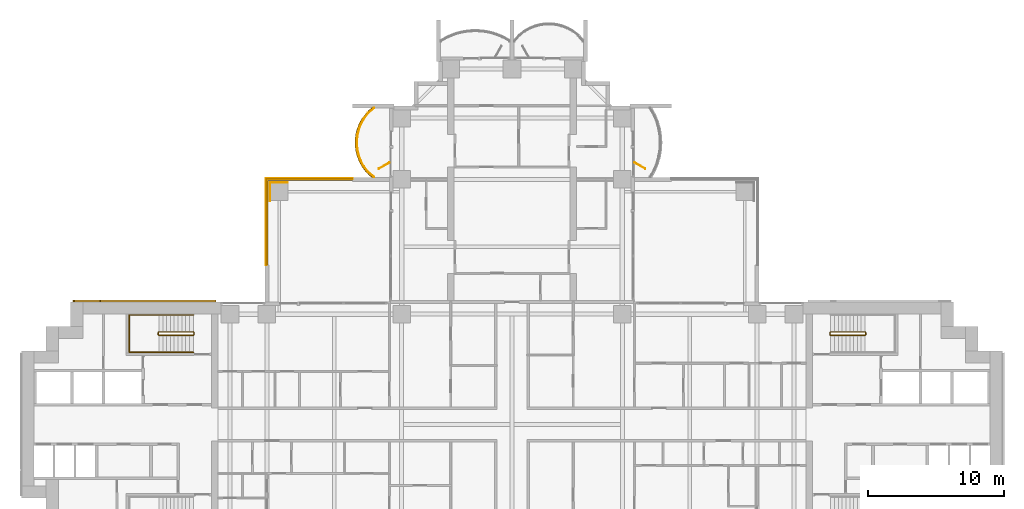
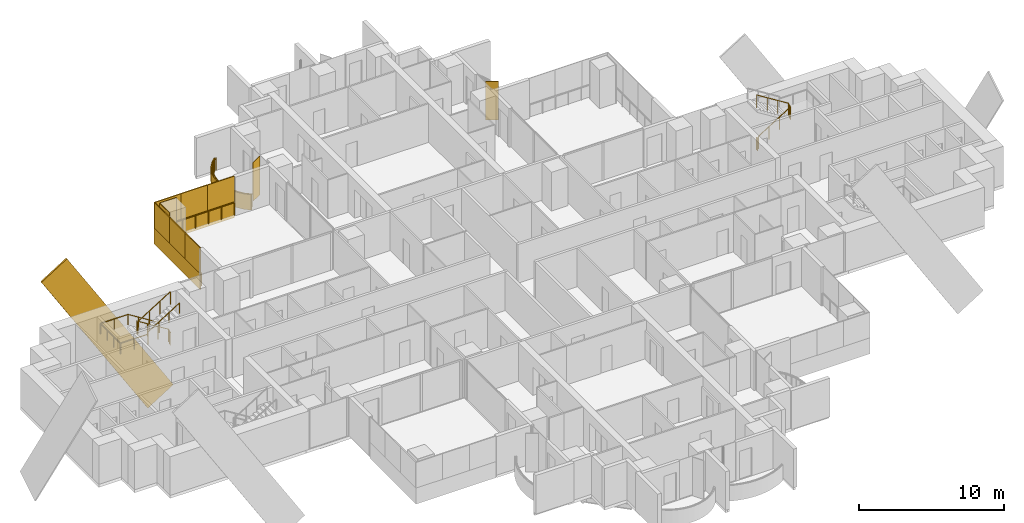
# One storey, part 21 of 23: 11 coverings, 5 railings, 2 shading devices.
"""IFC4 building model written with IfcOpenShell, lengths in metres."""

from ifc_helpers import new_model, si_unit, direction, frame, origin, origin_2d, place, context, subcontext, project, spatial, polyline, rectangle, outline, extrude, material, layer, layer_set, material_profile, profile_set, type_object, element, save


model = new_model("IFC4")

# Units and contexts
model_context = context("Model", 3, precision=1e-05, world=origin(), true_north=direction((0.0, 1.0)))
body_context = subcontext(model_context, "Body", "Model", "MODEL_VIEW")
ifc_project = project(units=[si_unit("LENGTHUNIT", "METRE"), si_unit("AREAUNIT", "SQUARE_METRE"), si_unit("VOLUMEUNIT", "CUBIC_METRE"), si_unit("PLANEANGLEUNIT", "RADIAN"), si_unit("MASSUNIT", "GRAM", prefix="KILO")], contexts=[model_context])

# Site, building, storey
site_placement = place(None, origin())
site = spatial("IfcSite", under=ifc_project, at=site_placement, CompositionType="ELEMENT")
building_placement = place(site_placement, origin())
building = spatial("IfcBuilding", under=site, at=building_placement, Name="Perihelion Cross Residences", CompositionType="ELEMENT")
storey_placement = place(building_placement, frame((0.0, 0.0, 61.0)))
storey = spatial("IfcBuildingStorey", under=building, at=storey_placement, Name="L12", CompositionType="ELEMENT", Elevation=61.0)

# Covering
ifc_material_1 = material(Name="Bronze anodised aluminium", Category="aluminium")
ifc_layer_1 = layer(ifc_material_1, 0.070068359375)
ifc_layer_set_1 = layer_set([ifc_layer_1], Name="Balcony fascia 1300")
covering_type_1 = type_object("IfcCoveringType", Name="Balcony fascia 1300", PredefinedType="CLADDING", material=ifc_layer_set_1)
covering_1_placement = place(storey_placement, frame((0.0, 0.0, -0.199951171875)))
element("IfcCovering", 1, at=covering_1_placement, inside=storey, type_object=covering_type_1, Name="Fascia BF1 L12 north side west bay 1", PredefinedType="CLADDING", context=body_context, shape_type="SweptSolid", body=[
    extrude(outline(polyline([(-10.674072265625, 22.90478515625), (-10.982666015625, 22.50390625), (-11.20654296875, 22.10302734375), (-11.364013671875, 21.7021484375), (-11.464599609375, 21.30126953125), (-11.513916015625, 20.900390625), (-11.513916015625, 20.49951171875), (-11.464599609375, 20.0986328125), (-11.364013671875, 19.69775390625), (-11.20654296875, 19.296875), (-10.982666015625, 18.89599609375), (-10.674072265625, 18.4951171875), (-10.302734375, 18.14990234375), (-10.199951171875, 18.14990234375), (-10.622314453125, 18.542236328125), (-10.924072265625, 18.9345703125), (-11.143310546875, 19.326904296875), (-11.29736328125, 19.71923828125), (-11.39599609375, 20.111572265625), (-11.444091796875, 20.50390625), (-11.444091796875, 20.896240234375), (-11.39599609375, 21.28857421875), (-11.29736328125, 21.6806640625), (-11.143310546875, 22.072998046875), (-10.924072265625, 22.46533203125), (-10.622314453125, 22.857666015625), (-10.199951171875, 23.25), (-10.302734375, 23.25), (-10.674072265625, 22.90478515625)])), origin(), (0.0, 0.0, 1.0), 1.300048828125),
])

# Railings
ifc_material_2 = material(Name="Bronze anodised aluminium", Category="aluminium")
railing_type_1 = type_object("IfcRailingType", Name="Balcony guard 1100", PredefinedType="GUARDRAIL", material=ifc_material_2)
railing_1_placement = place(storey_placement, frame((-10.139892578125, 23.22509765625, 0.0)))
element("IfcRailing", 2, at=railing_1_placement, inside=storey, type_object=railing_type_1, Name="Guard GU1 L12 north side west bay 1 balcony", PredefinedType="GUARDRAIL", context=body_context, shape_type="SweptSolid", body=[
    extrude(rectangle(XDim=0.048095703125, YDim=0.048095703125, at=origin_2d()), frame((0.0, 0.0, 1.076171875), z_axis=(-0.754464673757, -0.656340655493, 0.0), x_axis=(0.656340655493, -0.754464673757, 0.0)), (0.0, 0.0, 1.0), 0.559814453125),
    extrude(rectangle(XDim=0.048095703125, YDim=0.048095703125, at=origin_2d()), frame((-0.42236328125, -0.367431640625, 1.076171875), z_axis=(-0.60966308455, -0.792660660899, 0.0), x_axis=(0.792660660899, -0.60966308455, 0.0)), (0.0, 0.0, 1.0), 0.494873046875),
    extrude(rectangle(XDim=0.048095703125, YDim=0.048095703125, at=origin_2d()), frame((-0.72412109375, -0.759765625, 1.076171875), z_axis=(-0.487809182674, -0.872950285698, 0.0), x_axis=(0.872950285698, -0.487809182674, 0.0)), (0.0, 0.0, 1.0), 0.449462890625),
    extrude(rectangle(XDim=0.048095703125, YDim=0.048095703125, at=origin_2d()), frame((-0.943359375, -1.152099609375, 1.076171875), z_axis=(-0.365491079925, -0.930814842219, 0.0), x_axis=(0.930814842219, -0.365491079925, 0.0)), (0.0, 0.0, 1.0), 0.42138671875),
    extrude(rectangle(XDim=0.048095703125, YDim=0.048095703125, at=origin_2d()), frame((-1.097412109375, -1.54443359375, 1.076171875), z_axis=(-0.243956193074, -0.969786252666, 0.0), x_axis=(0.969786252666, -0.243956193074, 0.0)), (0.0, 0.0, 1.0), 0.404296875),
    extrude(rectangle(XDim=0.048095703125, YDim=0.048095703125, at=origin_2d()), frame((-1.196044921875, -1.9365234375, 1.076171875), z_axis=(-0.121677797999, -0.992569651699, 0.0), x_axis=(0.992569651699, -0.121677797999, 0.0)), (0.0, 0.0, 1.0), 0.395263671875),
    extrude(rectangle(XDim=0.048095703125, YDim=0.048095703125, at=origin_2d()), frame((-1.244140625, -2.328857421875, 1.076171875), z_axis=(0.0, -1.0, 0.0), x_axis=(1.0, 0.0, 0.0)), (0.0, 0.0, 1.0), 0.392333984375),
    extrude(rectangle(XDim=0.048095703125, YDim=0.048095703125, at=origin_2d()), frame((-1.244140625, -2.72119140625, 1.076171875), z_axis=(0.121677797999, -0.992569651699, 0.0), x_axis=(0.992569651699, 0.121677797999, 0.0)), (0.0, 0.0, 1.0), 0.395263671875),
    extrude(rectangle(XDim=0.048095703125, YDim=0.048095703125, at=origin_2d()), frame((-1.196044921875, -3.113525390625, 1.076171875), z_axis=(0.243813411509, -0.969822159145, 0.0), x_axis=(0.969822159145, 0.243813411509, 0.0)), (0.0, 0.0, 1.0), 0.404541015625),
    extrude(rectangle(XDim=0.048095703125, YDim=0.048095703125, at=origin_2d()), frame((-1.097412109375, -3.505859375, 1.076171875), z_axis=(0.365491079925, -0.930814842219, 0.0), x_axis=(0.930814842219, 0.365491079925, 0.0)), (0.0, 0.0, 1.0), 0.42138671875),
    extrude(rectangle(XDim=0.048095703125, YDim=0.048095703125, at=origin_2d()), frame((-0.943359375, -3.898193359375, 1.076171875), z_axis=(0.487809182674, -0.872950285698, 0.0), x_axis=(0.872950285698, 0.487809182674, 0.0)), (0.0, 0.0, 1.0), 0.449462890625),
    extrude(rectangle(XDim=0.048095703125, YDim=0.048095703125, at=origin_2d()), frame((-0.72412109375, -4.29052734375, 1.076171875), z_axis=(0.60966308455, -0.792660660899, 0.0), x_axis=(0.792660660899, 0.60966308455, 0.0)), (0.0, 0.0, 1.0), 0.494873046875),
    extrude(rectangle(XDim=0.048095703125, YDim=0.048095703125, at=origin_2d()), frame((-0.42236328125, -4.682861328125, 1.076171875), z_axis=(0.754680648599, -0.656092309534, 0.0), x_axis=(0.656092309534, 0.754680648599, 0.0)), (0.0, 0.0, 1.0), 0.5595703125),
    extrude(rectangle(XDim=0.0419921875, YDim=0.0419921875, at=origin_2d()), origin(), (0.0, 0.0, 1.0), 1.052001953125),
    extrude(rectangle(XDim=0.0419921875, YDim=0.0419921875, at=origin_2d()), frame((-0.42236328125, -0.367431640625, 0.0)), (0.0, 0.0, 1.0), 1.052001953125),
    extrude(rectangle(XDim=0.0419921875, YDim=0.0419921875, at=origin_2d()), frame((-0.72412109375, -0.759765625, 0.0)), (0.0, 0.0, 1.0), 1.052001953125),
    extrude(rectangle(XDim=0.0419921875, YDim=0.0419921875, at=origin_2d()), frame((-0.943359375, -1.152099609375, 0.0)), (0.0, 0.0, 1.0), 1.052001953125),
    extrude(rectangle(XDim=0.0419921875, YDim=0.0419921875, at=origin_2d()), frame((-1.097412109375, -1.54443359375, 0.0)), (0.0, 0.0, 1.0), 1.052001953125),
    extrude(rectangle(XDim=0.0419921875, YDim=0.0419921875, at=origin_2d()), frame((-1.196044921875, -1.9365234375, 0.0)), (0.0, 0.0, 1.0), 1.052001953125),
    extrude(rectangle(XDim=0.0419921875, YDim=0.0419921875, at=origin_2d()), frame((-1.244140625, -2.328857421875, 0.0)), (0.0, 0.0, 1.0), 1.052001953125),
    extrude(rectangle(XDim=0.0419921875, YDim=0.0419921875, at=origin_2d()), frame((-1.244140625, -2.72119140625, 0.0)), (0.0, 0.0, 1.0), 1.052001953125),
    extrude(rectangle(XDim=0.0419921875, YDim=0.0419921875, at=origin_2d()), frame((-1.196044921875, -3.113525390625, 0.0)), (0.0, 0.0, 1.0), 1.052001953125),
    extrude(rectangle(XDim=0.0419921875, YDim=0.0419921875, at=origin_2d()), frame((-1.097412109375, -3.505859375, 0.0)), (0.0, 0.0, 1.0), 1.052001953125),
    extrude(rectangle(XDim=0.0419921875, YDim=0.0419921875, at=origin_2d()), frame((-0.943359375, -3.898193359375, 0.0)), (0.0, 0.0, 1.0), 1.052001953125),
    extrude(rectangle(XDim=0.0419921875, YDim=0.0419921875, at=origin_2d()), frame((-0.72412109375, -4.29052734375, 0.0)), (0.0, 0.0, 1.0), 1.052001953125),
    extrude(rectangle(XDim=0.0419921875, YDim=0.0419921875, at=origin_2d()), frame((-0.42236328125, -4.682861328125, 0.0)), (0.0, 0.0, 1.0), 1.052001953125),
    extrude(rectangle(XDim=0.0419921875, YDim=0.0419921875, at=origin_2d()), frame((0.0, -5.050048828125, 0.0)), (0.0, 0.0, 1.0), 1.052001953125),
])
railing_2_placement = place(storey_placement, frame((-17.93994140625, 11.739990234375, 0.0)))
element("IfcRailing", 3, at=railing_2_placement, inside=storey, type_object=railing_type_1, Name="Guard GU1 L12 pocket north-west 1", PredefinedType="GUARDRAIL", context=body_context, shape_type="SweptSolid", body=[
    extrude(rectangle(XDim=0.048095703125, YDim=0.048095703125, at=origin_2d()), frame((0.0, 0.0, 1.076171875), z_axis=(0.0, 1.0, 0.0), x_axis=(-1.0, 0.0, 0.0)), (0.0, 0.0, 1.0), 6.199951171875),
    extrude(rectangle(XDim=0.048095703125, YDim=0.048095703125, at=origin_2d()), frame((0.0, 6.199951171875, 1.076171875), z_axis=(1.0, 0.0, 0.0), x_axis=(0.0, 1.0, 0.0)), (0.0, 0.0, 1.0), 6.199951171875),
    extrude(rectangle(XDim=0.0419921875, YDim=0.0419921875, at=origin_2d()), origin(), (0.0, 0.0, 1.0), 1.052001953125),
    extrude(rectangle(XDim=0.0419921875, YDim=0.0419921875, at=origin_2d()), frame((0.0, 1.033203125, 0.0)), (0.0, 0.0, 1.0), 1.052001953125),
    extrude(rectangle(XDim=0.0419921875, YDim=0.0419921875, at=origin_2d()), frame((0.0, 2.066650390625, 0.0)), (0.0, 0.0, 1.0), 1.052001953125),
    extrude(rectangle(XDim=0.0419921875, YDim=0.0419921875, at=origin_2d()), frame((0.0, 3.10009765625, 0.0)), (0.0, 0.0, 1.0), 1.052001953125),
    extrude(rectangle(XDim=0.0419921875, YDim=0.0419921875, at=origin_2d()), frame((0.0, 4.13330078125, 0.0)), (0.0, 0.0, 1.0), 1.052001953125),
    extrude(rectangle(XDim=0.0419921875, YDim=0.0419921875, at=origin_2d()), frame((0.0, 5.16650390625, 0.0)), (0.0, 0.0, 1.0), 1.052001953125),
    extrude(rectangle(XDim=0.0419921875, YDim=0.0419921875, at=origin_2d()), frame((0.0, 6.199951171875, 0.0)), (0.0, 0.0, 1.0), 1.052001953125),
    extrude(rectangle(XDim=0.0419921875, YDim=0.0419921875, at=origin_2d()), frame((1.033203125, 6.199951171875, 0.0)), (0.0, 0.0, 1.0), 1.052001953125),
    extrude(rectangle(XDim=0.0419921875, YDim=0.0419921875, at=origin_2d()), frame((2.066650390625, 6.199951171875, 0.0)), (0.0, 0.0, 1.0), 1.052001953125),
    extrude(rectangle(XDim=0.0419921875, YDim=0.0419921875, at=origin_2d()), frame((3.10009765625, 6.199951171875, 0.0)), (0.0, 0.0, 1.0), 1.052001953125),
    extrude(rectangle(XDim=0.0419921875, YDim=0.0419921875, at=origin_2d()), frame((4.13330078125, 6.199951171875, 0.0)), (0.0, 0.0, 1.0), 1.052001953125),
    extrude(rectangle(XDim=0.0419921875, YDim=0.0419921875, at=origin_2d()), frame((5.16650390625, 6.199951171875, 0.0)), (0.0, 0.0, 1.0), 1.052001953125),
    extrude(rectangle(XDim=0.0419921875, YDim=0.0419921875, at=origin_2d()), frame((6.199951171875, 6.199951171875, 0.0)), (0.0, 0.0, 1.0), 1.052001953125),
])

# Coverings
ifc_material_3 = material(Name="Bronze anodised aluminium", Category="aluminium")
ifc_material_profile = material_profile(ifc_material_3, rectangle(XDim=0.125, YDim=2.39990234375, at=origin_2d()), Name="Bronze cladding band 2400")
ifc_profile_set = profile_set([ifc_material_profile], Name="Bronze anodised aluminium")
covering_type_2 = type_object("IfcCoveringType", Name="Bronze cladding band 2400", PredefinedType="CLADDING", material=ifc_profile_set)
covering_2_placement = place(storey_placement, frame((-22.767578125, 9.0625, -5.951904296875), z_axis=(-0.529924750763, 0.0, 0.848044667767), x_axis=(0.0, -1.0, 0.0)))
element("IfcCovering", 4, at=covering_2_placement, inside=storey, type_object=covering_type_2, Name="Core cladding band, west core", PredefinedType="CLADDING", context=body_context, shape_type="SweptSolid", body=[
    extrude(rectangle(XDim=0.125, YDim=2.39990234375, at=origin_2d()), origin(), (0.0, 0.0, 1.0), 15.9736328125),
])
ifc_material_4 = material(Name="Bronze anodised aluminium", Category="aluminium")
ifc_layer_2 = layer(ifc_material_4, 0.0400390625)
ifc_layer_set_2 = layer_set([ifc_layer_2], Name="Bronze column casing 40")
covering_type_3 = type_object("IfcCoveringType", Name="Bronze column casing 40", PredefinedType="CLADDING", material=ifc_layer_set_2)
covering_3_placement = place(storey_placement, frame((-17.77001953125, 17.10009765625, -0.25), z_axis=(0.0, 0.0, 1.0), x_axis=(1.0, 0.0, 0.0)))
element("IfcCovering", 5, at=covering_3_placement, inside=storey, type_object=covering_type_3, Name="Cladding CC1 L12 casing east-west no. 2", PredefinedType="CLADDING", context=body_context, shape_type="SweptSolid", body=[
    extrude(rectangle(XDim=0.0400390625, YDim=1.3798828125, at=origin_2d()), origin(), (0.0, 0.0, 1.0), 3.5),
])
covering_4_placement = place(storey_placement, frame((-17.10009765625, 17.77001953125, -0.25), z_axis=(0.0, 0.0, 1.0), x_axis=(1.0, 0.0, 0.0)))
element("IfcCovering", 6, at=covering_4_placement, inside=storey, type_object=covering_type_3, Name="Cladding CC1 L12 casing north-south no. 2", PredefinedType="CLADDING", context=body_context, shape_type="SweptSolid", body=[
    extrude(rectangle(XDim=1.300048828125, YDim=0.0400390625, at=origin_2d()), origin(), (0.0, 0.0, 1.0), 3.5),
])

# Shading devices
ifc_material_5 = material(Name="Bronze anodised aluminium", Category="aluminium")
ifc_layer_3 = layer(ifc_material_5, 0.050048828125)
ifc_layer_set_3 = layer_set([ifc_layer_3], Name="Bronze fin 900")
shading_device_type = type_object("IfcShadingDeviceType", Name="Bronze fin 900", PredefinedType="USERDEFINED", material=ifc_layer_set_3)
for number, where, z_axis, x_axis, name in (
    (7, (9.3896484375, 19.0, 0.0), (0.0, 0.0, 1.0), (0.866025403784, -0.5, 0.0), "Fin FN1 L12 north side east bay 2"),
    (8, (-9.3896484375, 19.0, 0.0), (0.0, 0.0, 1.0), (-0.866025403784, -0.5, 0.0), "Fin FN1 L12 north side west bay 1"),
):
    element("IfcShadingDevice", number, at=place(storey_placement, frame(where, z_axis=z_axis, x_axis=x_axis)), inside=storey, type_object=shading_device_type, Name=name, ObjectType="FIN", PredefinedType="USERDEFINED", context=body_context, shape_type="SweptSolid", body=[
        extrude(rectangle(XDim=0.89990234375, YDim=0.050048828125, at=origin_2d()), origin(), (0.0, 0.0, 1.0), 3.25),
    ])

# Coverings
ifc_material_6 = material(Name="Bronze anodised aluminium", Category="aluminium")
ifc_layer_4 = layer(ifc_material_6, 0.070068359375)
ifc_layer_set_4 = layer_set([ifc_layer_4], Name="Pocket fascia 1350")
covering_type_4 = type_object("IfcCoveringType", Name="Pocket fascia 1350", PredefinedType="CLADDING", material=ifc_layer_set_4)
covering_5_placement = place(storey_placement, frame((0.0, 0.0, -0.25)))
element("IfcCovering", 9, at=covering_5_placement, inside=storey, type_object=covering_type_4, Name="Fascia BF2 L12 pocket north-west 3", PredefinedType="CLADDING", context=body_context, shape_type="SweptSolid", body=[
    extrude(outline(polyline([(-18.070068359375, 18.070068359375), (-18.070068359375, 11.699951171875), (-18.0, 11.699951171875), (-18.0, 18.0), (-11.699951171875, 18.0), (-11.699951171875, 18.070068359375), (-18.070068359375, 18.070068359375)])), origin(), (0.0, 0.0, 1.0), 1.35009765625),
])
ifc_material_7 = material(Name="Bronze perforated aluminium", Category="aluminium")
ifc_layer_5 = layer(ifc_material_7, 0.070068359375)
ifc_layer_set_5 = layer_set([ifc_layer_5], Name="Pocket solar screen, bronze perforated")
covering_type_5 = type_object("IfcCoveringType", Name="Pocket solar screen, bronze perforated", PredefinedType="CLADDING", material=ifc_layer_set_5)
covering_6_placement = place(storey_placement, frame((0.0, 0.0, 1.10009765625)))
element("IfcCovering", 10, at=covering_6_placement, inside=storey, type_object=covering_type_5, Name="Solar screen PS1 L12 pocket north-west no. 1", PredefinedType="CLADDING", context=body_context, shape_type="SweptSolid", body=[
    extrude(outline(polyline([(-18.0, 11.699951171875), (-18.0, 13.800048828125), (-18.070068359375, 13.800048828125), (-18.070068359375, 11.699951171875), (-18.0, 11.699951171875)])), origin(), (0.0, 0.0, 1.0), 2.14990234375),
])
covering_7_placement = place(storey_placement, frame((0.0, 0.0, 1.10009765625)))
element("IfcCovering", 11, at=covering_7_placement, inside=storey, type_object=covering_type_5, Name="Solar screen PS1 L12 pocket north-west no. 2", PredefinedType="CLADDING", context=body_context, shape_type="SweptSolid", body=[
    extrude(outline(polyline([(-18.0, 13.800048828125), (-18.0, 15.89990234375), (-18.070068359375, 15.89990234375), (-18.070068359375, 13.800048828125), (-18.0, 13.800048828125)])), origin(), (0.0, 0.0, 1.0), 2.14990234375),
])
covering_8_placement = place(storey_placement, frame((0.0, 0.0, 1.10009765625)))
element("IfcCovering", 12, at=covering_8_placement, inside=storey, type_object=covering_type_5, Name="Solar screen PS1 L12 pocket north-west no. 3", PredefinedType="CLADDING", context=body_context, shape_type="SweptSolid", body=[
    extrude(outline(polyline([(-18.0, 15.89990234375), (-18.0, 18.0), (-18.070068359375, 18.0), (-18.070068359375, 15.89990234375), (-18.0, 15.89990234375)])), origin(), (0.0, 0.0, 1.0), 2.14990234375),
])
covering_9_placement = place(storey_placement, frame((0.0, 0.0, 1.10009765625)))
element("IfcCovering", 13, at=covering_9_placement, inside=storey, type_object=covering_type_5, Name="Solar screen PS1 L12 pocket north-west no. 4", PredefinedType="CLADDING", context=body_context, shape_type="SweptSolid", body=[
    extrude(outline(polyline([(-15.94677734375, 18.0), (-15.94677734375, 18.070068359375), (-18.070068359375, 18.070068359375), (-18.070068359375, 18.0), (-15.94677734375, 18.0)])), origin(), (0.0, 0.0, 1.0), 2.14990234375),
])
covering_10_placement = place(storey_placement, frame((0.0, 0.0, 1.10009765625)))
element("IfcCovering", 14, at=covering_10_placement, inside=storey, type_object=covering_type_5, Name="Solar screen PS1 L12 pocket north-west no. 5", PredefinedType="CLADDING", context=body_context, shape_type="SweptSolid", body=[
    extrude(outline(polyline([(-13.8232421875, 18.0), (-13.8232421875, 18.070068359375), (-15.94677734375, 18.070068359375), (-15.94677734375, 18.0), (-13.8232421875, 18.0)])), origin(), (0.0, 0.0, 1.0), 2.14990234375),
])
covering_11_placement = place(storey_placement, frame((0.0, 0.0, 1.10009765625)))
element("IfcCovering", 15, at=covering_11_placement, inside=storey, type_object=covering_type_5, Name="Solar screen PS1 L12 pocket north-west no. 6", PredefinedType="CLADDING", context=body_context, shape_type="SweptSolid", body=[
    extrude(outline(polyline([(-11.699951171875, 18.0), (-11.699951171875, 18.070068359375), (-13.8232421875, 18.070068359375), (-13.8232421875, 18.0), (-11.699951171875, 18.0)])), origin(), (0.0, 0.0, 1.0), 2.14990234375),
])

# Railings
ifc_material_8 = material(Name="Stainless steel", Category="steel")
railing_type_2 = type_object("IfcRailingType", Name="Stair guard 1100", PredefinedType="GUARDRAIL", material=ifc_material_8)
railing_3_placement = place(storey_placement, frame((23.35009765625, 6.75, 0.0)))
element("IfcRailing", 16, at=railing_3_placement, inside=storey, type_object=railing_type_2, Name="L12 ST-E1 stair guard 1", PredefinedType="GUARDRAIL", context=body_context, shape_type="SweptSolid", body=[
    extrude(rectangle(XDim=0.048095703125, YDim=0.048095703125, at=origin_2d()), frame((0.0, 0.0, 1.076171875), z_axis=(0.0, -1.0, 0.0), x_axis=(1.0, 0.0, 0.0)), (0.0, 0.0, 1.0), 0.14990234375),
    extrude(rectangle(XDim=0.048095703125, YDim=0.048095703125, at=origin_2d()), frame((0.0, -0.14990234375, 1.076171875), z_axis=(0.263862480399, -0.265155923931, 0.927399011991), x_axis=(0.708833529934, 0.705375805398, 0.0)), (0.0, 0.0, 1.0), 0.188720703125),
    extrude(rectangle(XDim=0.048095703125, YDim=0.048095703125, at=origin_2d()), frame((0.0498046875, -0.199951171875, 1.2509765625), z_axis=(0.848007534815, 0.0, 0.529984170421), x_axis=(0.0, 1.0, 0.0)), (0.0, 0.0, 1.0), 2.9716796875),
    extrude(rectangle(XDim=0.048095703125, YDim=0.048095703125, at=origin_2d()), frame((2.56982421875, -0.199951171875, 2.826171875), z_axis=(0.707106781187, 0.707106781187, 0.0), x_axis=(-0.707106781187, 0.707106781187, 0.0)), (0.0, 0.0, 1.0), 0.07080078125),
    extrude(rectangle(XDim=0.048095703125, YDim=0.048095703125, at=origin_2d()), frame((2.619873046875, -0.14990234375, 2.826171875), z_axis=(0.0, 1.0, 0.0), x_axis=(-1.0, 0.0, 0.0)), (0.0, 0.0, 1.0), 0.14990234375),
    extrude(rectangle(XDim=0.048095703125, YDim=0.048095703125, at=origin_2d()), frame((2.619873046875, 0.0, 2.826171875), z_axis=(-0.265065253269, 0.265065253269, 0.927081885822), x_axis=(-0.707106781187, -0.707106781187, 0.0)), (0.0, 0.0, 1.0), 0.188720703125),
    extrude(rectangle(XDim=0.048095703125, YDim=0.048095703125, at=origin_2d()), frame((2.56982421875, 0.050048828125, 3.0009765625), z_axis=(-0.848007534815, 0.0, 0.529984170421), x_axis=(0.0, -1.0, 0.0)), (0.0, 0.0, 1.0), 2.9716796875),
    extrude(rectangle(XDim=0.0419921875, YDim=0.0419921875, at=origin_2d()), origin(), (0.0, 0.0, 1.0), 1.052001953125),
    extrude(rectangle(XDim=0.0419921875, YDim=0.0419921875, at=origin_2d()), frame((0.0, -0.14990234375, 0.0)), (0.0, 0.0, 1.0), 1.052001953125),
    extrude(rectangle(XDim=0.0419921875, YDim=0.0419921875, at=origin_2d()), frame((0.0498046875, -0.199951171875, 0.175048828125)), (0.0, 0.0, 1.0), 1.052001953125),
    extrude(rectangle(XDim=0.0419921875, YDim=0.0419921875, at=origin_2d()), frame((0.889892578125, -0.199951171875, 0.699951171875)), (0.0, 0.0, 1.0), 1.052001953125),
    extrude(rectangle(XDim=0.0419921875, YDim=0.0419921875, at=origin_2d()), frame((1.729736328125, -0.199951171875, 1.22509765625)), (0.0, 0.0, 1.0), 1.052001953125),
    extrude(rectangle(XDim=0.0419921875, YDim=0.0419921875, at=origin_2d()), frame((2.56982421875, -0.199951171875, 1.75)), (0.0, 0.0, 1.0), 1.052001953125),
    extrude(rectangle(XDim=0.0419921875, YDim=0.0419921875, at=origin_2d()), frame((2.619873046875, -0.14990234375, 1.75)), (0.0, 0.0, 1.0), 1.052001953125),
    extrude(rectangle(XDim=0.0419921875, YDim=0.0419921875, at=origin_2d()), frame((2.619873046875, 0.0, 1.75)), (0.0, 0.0, 1.0), 1.052001953125),
    extrude(rectangle(XDim=0.0419921875, YDim=0.0419921875, at=origin_2d()), frame((2.56982421875, 0.050048828125, 1.925048828125)), (0.0, 0.0, 1.0), 1.052001953125),
    extrude(rectangle(XDim=0.0419921875, YDim=0.0419921875, at=origin_2d()), frame((1.729736328125, 0.050048828125, 2.449951171875)), (0.0, 0.0, 1.0), 1.052001953125),
    extrude(rectangle(XDim=0.0419921875, YDim=0.0419921875, at=origin_2d()), frame((0.889892578125, 0.050048828125, 2.97509765625)), (0.0, 0.0, 1.0), 1.052001953125),
    extrude(rectangle(XDim=0.0419921875, YDim=0.0419921875, at=origin_2d()), frame((0.0498046875, 0.050048828125, 3.5)), (0.0, 0.0, 1.0), 1.052001953125),
])
railing_4_placement = place(storey_placement, frame((-23.35009765625, 6.60009765625, 0.0)))
element("IfcRailing", 17, at=railing_4_placement, inside=storey, type_object=railing_type_2, Name="L12 ST-W1 stair guard 1", PredefinedType="GUARDRAIL", context=body_context, shape_type="SweptSolid", body=[
    extrude(rectangle(XDim=0.048095703125, YDim=0.048095703125, at=origin_2d()), frame((0.0, 0.0, 1.076171875), z_axis=(0.0, 1.0, 0.0), x_axis=(-1.0, 0.0, 0.0)), (0.0, 0.0, 1.0), 0.14990234375),
    extrude(rectangle(XDim=0.048095703125, YDim=0.048095703125, at=origin_2d()), frame((0.0, 0.14990234375, 1.076171875), z_axis=(-0.263862480399, 0.265155923931, 0.927399011991), x_axis=(-0.708833529934, -0.705375805398, 0.0)), (0.0, 0.0, 1.0), 0.188720703125),
    extrude(rectangle(XDim=0.048095703125, YDim=0.048095703125, at=origin_2d()), frame((-0.0498046875, 0.199951171875, 1.2509765625), z_axis=(-0.848007534815, 0.0, 0.529984170421), x_axis=(0.0, -1.0, 0.0)), (0.0, 0.0, 1.0), 2.9716796875),
    extrude(rectangle(XDim=0.048095703125, YDim=0.048095703125, at=origin_2d()), frame((-2.56982421875, 0.199951171875, 2.826171875), z_axis=(-0.707106781187, -0.707106781187, 0.0), x_axis=(0.707106781187, -0.707106781187, 0.0)), (0.0, 0.0, 1.0), 0.07080078125),
    extrude(rectangle(XDim=0.048095703125, YDim=0.048095703125, at=origin_2d()), frame((-2.619873046875, 0.14990234375, 2.826171875), z_axis=(0.0, -1.0, 0.0), x_axis=(1.0, 0.0, 0.0)), (0.0, 0.0, 1.0), 0.14990234375),
    extrude(rectangle(XDim=0.048095703125, YDim=0.048095703125, at=origin_2d()), frame((-2.619873046875, 0.0, 2.826171875), z_axis=(0.265065253269, -0.265065253269, 0.927081885822), x_axis=(0.707106781187, 0.707106781187, 0.0)), (0.0, 0.0, 1.0), 0.188720703125),
    extrude(rectangle(XDim=0.048095703125, YDim=0.048095703125, at=origin_2d()), frame((-2.56982421875, -0.050048828125, 3.0009765625), z_axis=(0.848007534815, 0.0, 0.529984170421), x_axis=(0.0, 1.0, 0.0)), (0.0, 0.0, 1.0), 2.9716796875),
    extrude(rectangle(XDim=0.0419921875, YDim=0.0419921875, at=origin_2d()), origin(), (0.0, 0.0, 1.0), 1.052001953125),
    extrude(rectangle(XDim=0.0419921875, YDim=0.0419921875, at=origin_2d()), frame((0.0, 0.14990234375, 0.0)), (0.0, 0.0, 1.0), 1.052001953125),
    extrude(rectangle(XDim=0.0419921875, YDim=0.0419921875, at=origin_2d()), frame((-0.0498046875, 0.199951171875, 0.175048828125)), (0.0, 0.0, 1.0), 1.052001953125),
    extrude(rectangle(XDim=0.0419921875, YDim=0.0419921875, at=origin_2d()), frame((-0.889892578125, 0.199951171875, 0.699951171875)), (0.0, 0.0, 1.0), 1.052001953125),
    extrude(rectangle(XDim=0.0419921875, YDim=0.0419921875, at=origin_2d()), frame((-1.729736328125, 0.199951171875, 1.22509765625)), (0.0, 0.0, 1.0), 1.052001953125),
    extrude(rectangle(XDim=0.0419921875, YDim=0.0419921875, at=origin_2d()), frame((-2.56982421875, 0.199951171875, 1.75)), (0.0, 0.0, 1.0), 1.052001953125),
    extrude(rectangle(XDim=0.0419921875, YDim=0.0419921875, at=origin_2d()), frame((-2.619873046875, 0.14990234375, 1.75)), (0.0, 0.0, 1.0), 1.052001953125),
    extrude(rectangle(XDim=0.0419921875, YDim=0.0419921875, at=origin_2d()), frame((-2.619873046875, 0.0, 1.75)), (0.0, 0.0, 1.0), 1.052001953125),
    extrude(rectangle(XDim=0.0419921875, YDim=0.0419921875, at=origin_2d()), frame((-2.56982421875, -0.050048828125, 1.925048828125)), (0.0, 0.0, 1.0), 1.052001953125),
    extrude(rectangle(XDim=0.0419921875, YDim=0.0419921875, at=origin_2d()), frame((-1.729736328125, -0.050048828125, 2.449951171875)), (0.0, 0.0, 1.0), 1.052001953125),
    extrude(rectangle(XDim=0.0419921875, YDim=0.0419921875, at=origin_2d()), frame((-0.889892578125, -0.050048828125, 2.97509765625)), (0.0, 0.0, 1.0), 1.052001953125),
    extrude(rectangle(XDim=0.0419921875, YDim=0.0419921875, at=origin_2d()), frame((-0.0498046875, -0.050048828125, 3.5)), (0.0, 0.0, 1.0), 1.052001953125),
])
ifc_material_9 = material(Name="Stainless steel", Category="steel")
railing_type_3 = type_object("IfcRailingType", Name="Stair handrail 900", PredefinedType="HANDRAIL", material=ifc_material_9)
railing_5_placement = place(storey_placement, frame((-23.39990234375, 8.050048828125, 0.175048828125)))
element("IfcRailing", 18, at=railing_5_placement, inside=storey, type_object=railing_type_3, Name="L12 ST-W1 stair handrail 1", PredefinedType="HANDRAIL", context=body_context, shape_type="SweptSolid", body=[
    extrude(rectangle(XDim=0.048095703125, YDim=0.048095703125, at=origin_2d()), frame((0.0, 0.0, 0.8759765625), z_axis=(-0.848007534815, 0.0, 0.529984170421), x_axis=(0.0, -1.0, 0.0)), (0.0, 0.0, 1.0), 2.9716796875),
    extrude(rectangle(XDim=0.048095703125, YDim=0.048095703125, at=origin_2d()), frame((-2.52001953125, 0.0, 2.45068359375), z_axis=(-1.0, 0.0, 0.0), x_axis=(0.0, -1.0, 0.0)), (0.0, 0.0, 1.0), 2.18017578125),
    extrude(rectangle(XDim=0.048095703125, YDim=0.048095703125, at=origin_2d()), frame((-4.7001953125, 0.0, 2.45068359375), z_axis=(0.0, -1.0, 0.0), x_axis=(1.0, 0.0, 0.0)), (0.0, 0.0, 1.0), 2.75),
    extrude(rectangle(XDim=0.048095703125, YDim=0.048095703125, at=origin_2d()), frame((-4.7001953125, -2.75, 2.45068359375), z_axis=(1.0, 0.0, 0.0), x_axis=(0.0, 1.0, 0.0)), (0.0, 0.0, 1.0), 2.18017578125),
    extrude(rectangle(XDim=0.048095703125, YDim=0.048095703125, at=origin_2d()), frame((-2.52001953125, -2.75, 2.45068359375), z_axis=(0.0, 0.0, 1.0), x_axis=(1.0, 0.0, 0.0)), (0.0, 0.0, 1.0), 0.175048828125),
    extrude(rectangle(XDim=0.048095703125, YDim=0.048095703125, at=origin_2d()), frame((-2.52001953125, -2.75, 2.6259765625), z_axis=(0.848007534815, 0.0, 0.529984170421), x_axis=(0.0, 1.0, 0.0)), (0.0, 0.0, 1.0), 2.9716796875),
    extrude(rectangle(XDim=0.0419921875, YDim=0.0419921875, at=origin_2d()), origin(), (0.0, 0.0, 1.0), 0.851806640625),
    extrude(rectangle(XDim=0.0419921875, YDim=0.0419921875, at=origin_2d()), frame((-0.840087890625, 0.0, 0.52490234375)), (0.0, 0.0, 1.0), 0.851806640625),
    extrude(rectangle(XDim=0.0419921875, YDim=0.0419921875, at=origin_2d()), frame((-1.679931640625, 0.0, 1.050048828125)), (0.0, 0.0, 1.0), 0.851806640625),
    extrude(rectangle(XDim=0.0419921875, YDim=0.0419921875, at=origin_2d()), frame((-2.52001953125, 0.0, 1.574951171875)), (0.0, 0.0, 1.0), 0.851806640625),
    extrude(rectangle(XDim=0.0419921875, YDim=0.0419921875, at=origin_2d()), frame((-3.610107421875, 0.0, 1.574951171875)), (0.0, 0.0, 1.0), 0.851806640625),
    extrude(rectangle(XDim=0.0419921875, YDim=0.0419921875, at=origin_2d()), frame((-4.7001953125, 0.0, 1.574951171875)), (0.0, 0.0, 1.0), 0.851806640625),
    extrude(rectangle(XDim=0.0419921875, YDim=0.0419921875, at=origin_2d()), frame((-4.7001953125, -0.916748046875, 1.574951171875)), (0.0, 0.0, 1.0), 0.851806640625),
    extrude(rectangle(XDim=0.0419921875, YDim=0.0419921875, at=origin_2d()), frame((-4.7001953125, -1.833251953125, 1.574951171875)), (0.0, 0.0, 1.0), 0.851806640625),
    extrude(rectangle(XDim=0.0419921875, YDim=0.0419921875, at=origin_2d()), frame((-4.7001953125, -2.75, 1.574951171875)), (0.0, 0.0, 1.0), 0.851806640625),
    extrude(rectangle(XDim=0.0419921875, YDim=0.0419921875, at=origin_2d()), frame((-3.610107421875, -2.75, 1.574951171875)), (0.0, 0.0, 1.0), 0.851806640625),
    extrude(rectangle(XDim=0.0419921875, YDim=0.0419921875, at=origin_2d()), frame((-2.52001953125, -2.75, 1.574951171875)), (0.0, 0.0, 1.0), 0.851806640625),
    extrude(rectangle(XDim=0.0419921875, YDim=0.0419921875, at=origin_2d()), frame((-2.52001953125, -2.75, 1.75)), (0.0, 0.0, 1.0), 0.851806640625),
    extrude(rectangle(XDim=0.0419921875, YDim=0.0419921875, at=origin_2d()), frame((-1.679931640625, -2.75, 2.27490234375)), (0.0, 0.0, 1.0), 0.851806640625),
    extrude(rectangle(XDim=0.0419921875, YDim=0.0419921875, at=origin_2d()), frame((-0.840087890625, -2.75, 2.800048828125)), (0.0, 0.0, 1.0), 0.851806640625),
    extrude(rectangle(XDim=0.0419921875, YDim=0.0419921875, at=origin_2d()), frame((0.0, -2.75, 3.324951171875)), (0.0, 0.0, 1.0), 0.851806640625),
])

save(model, "model.ifc")
